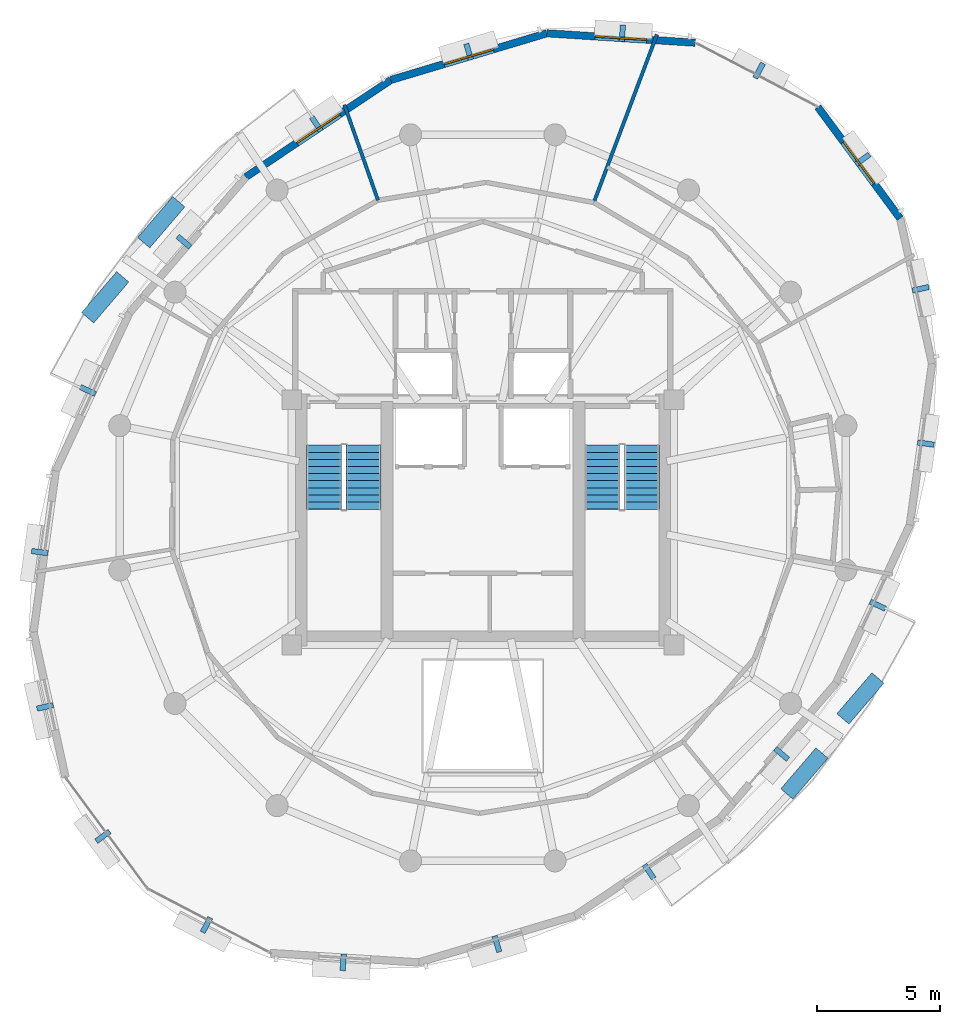
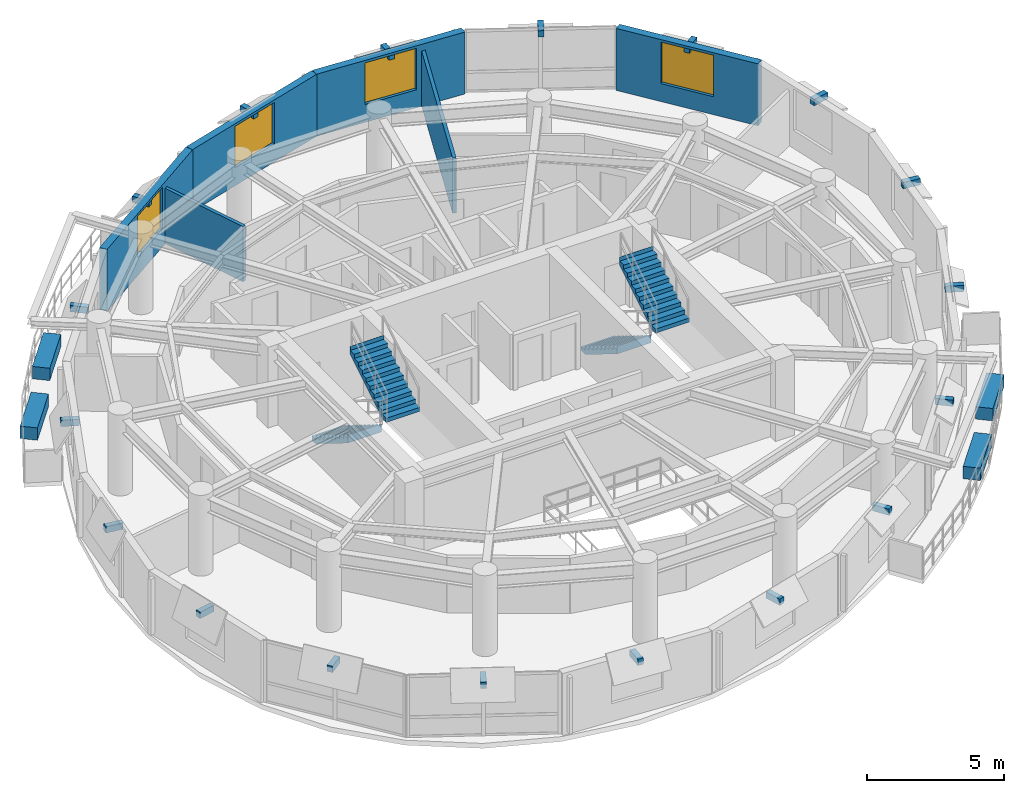
# One storey, part 9 of 11: 22 discrete accessories, 6 walls, 4 stair flights, 4 windows, 4 openings, 2 elements without a shape of their own.
"""IFC4 building model written with IfcOpenShell, lengths in metres."""

import ifcopenshell
import ifcopenshell.guid

model = None  # the IFC model being written
_history = None  # IfcOwnerHistory: only IFC2X3 demands one
_inside = {}  # id of a spatial element -> (the spatial element, [elements in it])
_under = {}  # id of a project, library or spatial element -> (it, [spatial elements below it])
_declared = {}  # id of a project -> (the project, [libraries it declares])
_typed = {}  # id of a type object -> (the type object, [elements of that type])
_made_of = {}  # id of a material, layer set ... -> (it, [elements and type objects made of it])


def new_model(schema):
    """Start an empty IFC model of exactly this schema.

    Asked for "IFC4X3", IfcOpenShell would pick the latest addendum, in which some entities
    have other attributes; the version numbers below select the first issue.
    IFC2X3 requires an IfcOwnerHistory on every rooted entity: one is made here for all.
    """
    global model, _history
    if schema == "IFC4X3":
        model = ifcopenshell.file(schema_version=(4, 3, 0, 0))
    else:
        model = ifcopenshell.file(schema=schema)
    _inside.clear()
    _under.clear()
    _declared.clear()
    _typed.clear()
    _made_of.clear()
    _history = None
    if model.schema == "IFC2X3":
        org = make("IfcOrganization", Name="unknown")
        user = make(
            "IfcPersonAndOrganization",
            ThePerson=make("IfcPerson", FamilyName="unknown"),
            TheOrganization=org,
        )
        app = make(
            "IfcApplication",
            ApplicationDeveloper=org,
            Version="unknown",
            ApplicationFullName="unknown",
            ApplicationIdentifier="unknown",
        )
        _history = make(
            "IfcOwnerHistory",
            OwningUser=user,
            OwningApplication=app,
            ChangeAction="ADDED",
            CreationDate=0,
        )
    return model


def make(cls, **values):
    """One entity of the class cls with the attributes given. An attribute that is None is left unset."""
    return model.create_entity(
        cls, **{name: value for name, value in values.items() if value is not None}
    )


def rooted(cls, **values):
    """An entity with a GlobalId (a new one), such as an element, a storey or a relation."""
    return make(cls, GlobalId=ifcopenshell.guid.new(), OwnerHistory=_history, **values)


def si_unit(unit_type, name, prefix=None):
    """IfcSIUnit, for example si_unit("LENGTHUNIT", "METRE", prefix="MILLI")."""
    return make("IfcSIUnit", UnitType=unit_type, Prefix=prefix, Name=name)


def assignment(units):
    """IfcUnitAssignment: the units of a project."""
    return None if units is None else make("IfcUnitAssignment", Units=units)


def point(xyz):
    """IfcCartesianPoint."""
    return None if xyz is None else make("IfcCartesianPoint", Coordinates=xyz)


def direction(xyz):
    """IfcDirection."""
    return None if xyz is None else make("IfcDirection", DirectionRatios=xyz)


def frame(location, z_axis=None, x_axis=None):
    """IfcAxis2Placement3D, a coordinate frame: its origin and axes. An axis left out is left unset."""
    return make(
        "IfcAxis2Placement3D",
        Location=point(location),
        Axis=direction(z_axis),
        RefDirection=direction(x_axis),
    )


def frame_2d(location, x_axis=None):
    """IfcAxis2Placement2D, a coordinate frame in the plane: its origin and x axis."""
    return make(
        "IfcAxis2Placement2D", Location=point(location), RefDirection=direction(x_axis)
    )


def origin():
    """The frame at (0, 0, 0) with its axes left unset."""
    return frame((0.0, 0.0, 0.0))


def origin_2d():
    """The frame at (0, 0) in the plane with its x axis left unset."""
    return frame_2d((0.0, 0.0))


def place(relative_to, where):
    """IfcLocalPlacement: puts the frame where relative to a parent placement (None: the world)."""
    return make(
        "IfcLocalPlacement", PlacementRelTo=relative_to, RelativePlacement=where
    )


def context(
    kind, dimensions, precision=None, world=None, true_north=None, identifier=None
):
    """IfcGeometricRepresentationContext, for example the 3D "Model" context."""
    return make(
        "IfcGeometricRepresentationContext",
        ContextIdentifier=identifier,
        ContextType=kind,
        CoordinateSpaceDimension=dimensions,
        Precision=precision,
        WorldCoordinateSystem=world,
        TrueNorth=true_north,
    )


def subcontext(parent, identifier, kind, view, scale=None):
    """IfcGeometricRepresentationSubContext, for example "Body" below "Model"."""
    return make(
        "IfcGeometricRepresentationSubContext",
        ContextIdentifier=identifier,
        ContextType=kind,
        ParentContext=parent,
        TargetScale=scale,
        TargetView=view,
    )


def project(units=None, contexts=None):
    """IfcProject with its units and contexts."""
    return rooted(
        "IfcProject",
        Name="project",
        RepresentationContexts=contexts,
        UnitsInContext=assignment(units),
    )


def spatial(cls, under=None, at=None, **own):
    """A site, building, storey or space (cls), placed at a placement, below another one or the project."""
    s = rooted(cls, ObjectPlacement=at, **own)
    if under is not None:
        _under.setdefault(under.id(), (under, []))[1].append(s)
    return s


def polyline(points):
    """IfcPolyline through the points."""
    return make("IfcPolyline", Points=[point(p) for p in points])


def profile(cls, at=None, kind="AREA", **sizes):
    """A parametric profile (cls). Its sizes go by their IFC names, for example OverallWidth=200.0."""
    return make(cls, ProfileType=kind, Position=at, **sizes)


def rectangle(**sizes):
    """IfcRectangleProfileDef."""
    return profile("IfcRectangleProfileDef", **sizes)


def outline(outer, holes=None, kind="AREA"):
    """IfcArbitraryClosedProfileDef: a profile drawn as a closed curve; with holes, ...WithVoids."""
    if holes is None:
        return make("IfcArbitraryClosedProfileDef", ProfileType=kind, OuterCurve=outer)
    return make(
        "IfcArbitraryProfileDefWithVoids",
        ProfileType=kind,
        OuterCurve=outer,
        InnerCurves=holes,
    )


def extrude(swept, where, along, depth):
    """IfcExtrudedAreaSolid: the profile swept, set in the frame where, extruded along a direction by depth."""
    return make(
        "IfcExtrudedAreaSolid",
        SweptArea=swept,
        Position=where,
        ExtrudedDirection=direction(along),
        Depth=depth,
    )


def shape(context_of_items, identifier, shape_type, items):
    """IfcShapeRepresentation: the items that make up one representation, for example the "Body"."""
    return make(
        "IfcShapeRepresentation",
        ContextOfItems=context_of_items,
        RepresentationIdentifier=identifier,
        RepresentationType=shape_type,
        Items=items,
    )


def material(Name=None, Category=None):
    """IfcMaterial."""
    return make("IfcMaterial", Name=Name, Category=Category)


def layer(
    of_material, thickness, ventilated=None, Name=None, Category=None, Priority=None
):
    """IfcMaterialLayer: one layer of a wall or slab, of a material (None: an air gap)."""
    return make(
        "IfcMaterialLayer",
        Material=of_material,
        LayerThickness=thickness,
        IsVentilated=ventilated,
        Name=Name,
        Category=Category,
        Priority=Priority,
    )


def layer_set(layers, Name=None):
    """IfcMaterialLayerSet."""
    return make("IfcMaterialLayerSet", MaterialLayers=layers, LayerSetName=Name)


def made_of(thing, what):
    """Note that an element or type object is made of a material, layer set ...; save() writes the relation."""
    if what is not None:
        _made_of.setdefault(what.id(), (what, []))[1].append(thing)
    return thing


def type_object(cls, material=None, **own):
    """A type object (cls), such as IfcWallType, which elements share."""
    return made_of(rooted(cls, **own), material)


def element(
    cls,
    number,
    at=None,
    inside=None,
    cuts=None,
    type_object=None,
    material=None,
    context=None,
    identifier="Body",
    shape_type=None,
    held_by="IfcProductDefinitionShape",
    body=None,
    shapes=None,
    **own,
):
    """One element of the class cls, such as IfcWall. Its Tag is "e" and its number.

    at: its placement. inside: the storey or other place that contains it. cuts: it is an
    opening in that element (IfcRelVoidsElement). A single representation is given by context,
    identifier, shape_type and body (its items); several are given by shapes. held_by: the class
    of the entity that holds the representations. save() writes the other relations.
    """
    e = rooted(cls, Tag="e%d" % number, ObjectPlacement=at, **own)
    if body is not None:
        shapes = [shape(context, identifier, shape_type, body)]
    if shapes is not None:
        e.Representation = make(held_by, Representations=shapes)
    if inside is not None:
        _inside.setdefault(inside.id(), (inside, []))[1].append(e)
    if cuts is not None:
        rooted(
            "IfcRelVoidsElement", RelatingBuildingElement=cuts, RelatedOpeningElement=e
        )
    if type_object is not None:
        _typed.setdefault(type_object.id(), (type_object, []))[1].append(e)
    return made_of(e, material)


def fill(opening, filler):
    """IfcRelFillsElement: the door or window that sits in an opening."""
    return rooted(
        "IfcRelFillsElement",
        RelatingOpeningElement=opening,
        RelatedBuildingElement=filler,
    )


def aggregate(whole, parts):
    """IfcRelAggregates: a whole, such as a stair, and the parts it consists of."""
    return rooted("IfcRelAggregates", RelatingObject=whole, RelatedObjects=parts)


def save(model, path):
    """Write the relations noted so far, then the file.

    IfcRelAggregates (storeys below a building ...), IfcRelContainedInSpatialStructure (elements
    in a storey), IfcRelDefinesByType, IfcRelAssociatesMaterial and IfcRelDeclares: one each for
    every whole, place, type object, material and project.
    """
    for whole, parts in _under.values():
        aggregate(whole, parts)
    for where, things in _inside.values():
        rooted(
            "IfcRelContainedInSpatialStructure",
            RelatedElements=things,
            RelatingStructure=where,
        )
    for kind, things in _typed.values():
        rooted("IfcRelDefinesByType", RelatedObjects=things, RelatingType=kind)
    for what, things in _made_of.values():
        rooted("IfcRelAssociatesMaterial", RelatedObjects=things, RelatingMaterial=what)
    for by, libraries in _declared.values():
        rooted("IfcRelDeclares", RelatingContext=by, RelatedDefinitions=libraries)
    model.write(path)


model = new_model("IFC4")

# Units and contexts
model_context = context("Model", 3, precision=1e-05, world=origin(), true_north=direction((0.0, 1.0)))
body_context = subcontext(model_context, "Body", "Model", "MODEL_VIEW")
ifc_project = project(units=[si_unit("LENGTHUNIT", "METRE"), si_unit("AREAUNIT", "SQUARE_METRE"), si_unit("VOLUMEUNIT", "CUBIC_METRE"), si_unit("PLANEANGLEUNIT", "RADIAN"), si_unit("MASSUNIT", "GRAM", prefix="KILO"), si_unit("THERMODYNAMICTEMPERATUREUNIT", "KELVIN"), si_unit("POWERUNIT", "WATT")], contexts=[model_context])

# Site, building, storey
site_placement = place(None, origin())
site = spatial("IfcSite", under=ifc_project, at=site_placement, CompositionType="ELEMENT")
building_placement = place(site_placement, origin())
building = spatial("IfcBuilding", under=site, at=building_placement, Name="Ocrelia Relay Tower", CompositionType="ELEMENT")
storey_placement = place(building_placement, frame((0.0, 0.0, 237.60009765625)))
storey = spatial("IfcBuildingStorey", under=building, at=storey_placement, Name="L58", CompositionType="ELEMENT", Elevation=237.60009765625)

# Wall, opening, window
ifc_material_1 = material(Name="Precast concrete C40/50 with oxide terracotta", Category="masonry")
ifc_layer_1 = layer(ifc_material_1, 0.300048828125, Name="Precast concrete C40/50 with oxide terracotta")
ifc_layer_set_1 = layer_set([ifc_layer_1], Name="Precast concrete C40/50 with oxide terracotta")
wall_type_1 = type_object("IfcWallType", Name="W-EXT-TERR-300", PredefinedType="SOLIDWALL", material=ifc_layer_set_1)
wall_1_placement = place(storey_placement, frame((42.6611328125, 44.566650390625, 0.0), z_axis=(0.0, 0.0, 1.0), x_axis=(-0.998006550378, 0.063110422294, 0.0)))
wall_1 = element("IfcWall", 1, at=wall_1_placement, inside=storey, type_object=wall_type_1, Name="L58 Oxide Terracotta Facade Wall 02", PredefinedType="SOLIDWALL", context=body_context, shape_type="SweptSolid", body=[
    extrude(rectangle(XDim=6.061767578125, YDim=0.300048828125, at=frame_2d((3.03076171875, 0.0))), origin(), (0.0, 0.0, 1.0), 2.760009765625),
])
opening_1_placement = place(wall_1_placement, frame((1.98095703125, 0.0, 0.800048828125)))
opening_1 = element("IfcOpeningElement", 2, at=opening_1_placement, cuts=wall_1, Name="Opening W-07", PredefinedType="OPENING", context=body_context, shape_type="SweptSolid", body=[
    extrude(rectangle(XDim=2.10009765625, YDim=1.85009765625, at=frame_2d((1.050048828125, 0.925048828125))), frame((0.0, 0.16015625, 0.0), z_axis=(0.0, -1.0, 0.0), x_axis=(1.0, 0.0, 0.0)), (0.0, 0.0, 1.0), 0.320068359375),
])
ifc_material_2 = material(Name="Clear double-glazed low-E glass", Category="glass")
window_type = type_object("IfcWindowType", Name="WIN-Z4-2100x2200", PartitioningType="DOUBLE_PANEL_VERTICAL", PredefinedType="WINDOW", material=ifc_material_2)
window_1_placement = place(opening_1_placement, origin())
window_1 = element("IfcWindow", 3, at=window_1_placement, inside=storey, type_object=window_type, Name="L58 Facade Module Window 02", OverallHeight=1.85009765625, OverallWidth=2.10009765625, PartitioningType="SINGLE_PANEL", PredefinedType="WINDOW", context=body_context, shape_type="SweptSolid", body=[
    extrude(rectangle(XDim=2.10009765625, YDim=1.85009765625, at=frame_2d((1.050048828125, 0.925048828125))), frame((0.0, 0.030029296875, 0.0), z_axis=(0.0, -1.0, 0.0), x_axis=(1.0, 0.0, 0.0)), (0.0, 0.0, 1.0), 0.06005859375),
])
fill(opening_1, window_1)

wall_2_placement = place(storey_placement, frame((36.611328125, 44.94921875, 0.0), z_axis=(0.0, 0.0, 1.0), x_axis=(-0.958088870216, -0.286471144739, 0.0)))
wall_2 = element("IfcWall", 4, at=wall_2_placement, inside=storey, type_object=wall_type_1, Name="L58 Oxide Terracotta Facade Wall 03", PredefinedType="SOLIDWALL", context=body_context, shape_type="SweptSolid", body=[
    extrude(rectangle(XDim=6.64306640625, YDim=0.300048828125, at=frame_2d((3.321533203125, 0.0))), origin(), (0.0, 0.0, 1.0), 2.760009765625),
])
opening_2_placement = place(wall_2_placement, frame((2.27197265625, 0.0, 0.800048828125)))
opening_2 = element("IfcOpeningElement", 5, at=opening_2_placement, cuts=wall_2, Name="Opening W-07", PredefinedType="OPENING", context=body_context, shape_type="SweptSolid", body=[
    extrude(rectangle(XDim=2.10009765625, YDim=1.85009765625, at=frame_2d((1.050048828125, 0.925048828125))), frame((0.0, 0.16015625, 0.0), z_axis=(0.0, -1.0, 0.0), x_axis=(1.0, 0.0, 0.0)), (0.0, 0.0, 1.0), 0.320068359375),
])
window_2_placement = place(opening_2_placement, origin())
window_2 = element("IfcWindow", 6, at=window_2_placement, inside=storey, type_object=window_type, Name="L58 Facade Module Window 03", OverallHeight=1.85009765625, OverallWidth=2.10009765625, PartitioningType="SINGLE_PANEL", PredefinedType="WINDOW", context=body_context, shape_type="SweptSolid", body=[
    extrude(rectangle(XDim=2.10009765625, YDim=1.85009765625, at=frame_2d((1.050048828125, 0.925048828125))), frame((0.0, 0.030029296875, 0.0), z_axis=(0.0, -1.0, 0.0), x_axis=(1.0, 0.0, 0.0)), (0.0, 0.0, 1.0), 0.06005859375),
])
fill(opening_2, window_2)

wall_3_placement = place(storey_placement, frame((30.24658203125, 43.046142578125, 0.0), z_axis=(0.0, 0.0, 1.0), x_axis=(-0.830897686813, -0.556425227725, 0.0)))
wall_3 = element("IfcWall", 7, at=wall_3_placement, inside=storey, type_object=wall_type_1, Name="L58 Oxide Terracotta Facade Wall 04", PredefinedType="SOLIDWALL", context=body_context, shape_type="SweptSolid", body=[
    extrude(rectangle(XDim=7.114990234375, YDim=0.300048828125, at=frame_2d((3.5576171875, 0.0))), origin(), (0.0, 0.0, 1.0), 2.760009765625),
])
opening_3_placement = place(wall_3_placement, frame((2.508056640625, 0.0, 0.800048828125)))
opening_3 = element("IfcOpeningElement", 8, at=opening_3_placement, cuts=wall_3, Name="Opening W-07", PredefinedType="OPENING", context=body_context, shape_type="SweptSolid", body=[
    extrude(rectangle(XDim=2.10009765625, YDim=1.85009765625, at=frame_2d((1.050048828125, 0.925048828125))), frame((0.0, 0.16015625, 0.0), z_axis=(0.0, -1.0, 0.0), x_axis=(1.0, 0.0, 0.0)), (0.0, 0.0, 1.0), 0.320068359375),
])
window_3_placement = place(opening_3_placement, origin())
window_3 = element("IfcWindow", 9, at=window_3_placement, inside=storey, type_object=window_type, Name="L58 Facade Module Window 04", OverallHeight=1.85009765625, OverallWidth=2.10009765625, PartitioningType="SINGLE_PANEL", PredefinedType="WINDOW", context=body_context, shape_type="SweptSolid", body=[
    extrude(rectangle(XDim=2.10009765625, YDim=1.85009765625, at=frame_2d((1.050048828125, 0.925048828125))), frame((0.0, 0.030029296875, 0.0), z_axis=(0.0, -1.0, 0.0), x_axis=(1.0, 0.0, 0.0)), (0.0, 0.0, 1.0), 0.06005859375),
])
fill(opening_3, window_3)

wall_4_placement = place(storey_placement, frame((51.02294921875, 37.399658203125, 0.0), z_axis=(0.0, 0.0, 1.0), x_axis=(-0.594093357813, 0.804396097829, 0.0)))
wall_4 = element("IfcWall", 10, at=wall_4_placement, inside=storey, type_object=wall_type_1, Name="L58 Oxide Terracotta Facade Wall 18", PredefinedType="SOLIDWALL", context=body_context, shape_type="SweptSolid", body=[
    extrude(rectangle(XDim=5.650146484375, YDim=0.300048828125, at=frame_2d((2.8251953125, 0.0))), origin(), (0.0, 0.0, 1.0), 2.760009765625),
])
opening_4_placement = place(wall_4_placement, frame((1.77490234375, 0.0, 0.800048828125)))
opening_4 = element("IfcOpeningElement", 11, at=opening_4_placement, cuts=wall_4, Name="Opening W-07", PredefinedType="OPENING", context=body_context, shape_type="SweptSolid", body=[
    extrude(rectangle(XDim=2.10009765625, YDim=1.85009765625, at=frame_2d((1.050048828125, 0.925048828125))), frame((0.0, 0.16015625, 0.0), z_axis=(0.0, -1.0, 0.0), x_axis=(1.0, 0.0, 0.0)), (0.0, 0.0, 1.0), 0.320068359375),
])
window_4_placement = place(opening_4_placement, origin())
window_4 = element("IfcWindow", 12, at=window_4_placement, inside=storey, type_object=window_type, Name="L58 Facade Module Window 18", OverallHeight=1.85009765625, OverallWidth=2.10009765625, PartitioningType="SINGLE_PANEL", PredefinedType="WINDOW", context=body_context, shape_type="SweptSolid", body=[
    extrude(rectangle(XDim=2.10009765625, YDim=1.85009765625, at=frame_2d((1.050048828125, 0.925048828125))), frame((0.0, 0.030029296875, 0.0), z_axis=(0.0, -1.0, 0.0), x_axis=(1.0, 0.0, 0.0)), (0.0, 0.0, 1.0), 0.06005859375),
])
fill(opening_4, window_4)

# Walls
ifc_material_3 = material(Name="Acoustic Fireboard Partition EI60", Category="gypsum")
ifc_layer_2 = layer(ifc_material_3, 0.139892578125, Name="Acoustic Fireboard Partition EI60")
ifc_layer_set_2 = layer_set([ifc_layer_2], Name="Acoustic Fireboard Partition EI60")
wall_type_2 = type_object("IfcWallType", Name="W-PART-140", PredefinedType="PARTITIONING", material=ifc_layer_set_2)
wall_5_placement = place(storey_placement, frame((38.5283203125, 38.047119140625, 0.0), z_axis=(0.0, 0.0, 1.0), x_axis=(0.351821633052, 0.936067058771, 0.0)))
element("IfcWall", 13, at=wall_5_placement, inside=storey, type_object=wall_type_2, Name="L58 Counsel Office B Radial Partition", PredefinedType="PARTITIONING", context=body_context, shape_type="SweptSolid", body=[
    extrude(rectangle(XDim=7.318115234375, YDim=0.139892578125, at=frame_2d((3.6591796875, 0.0))), origin(), (0.0, 0.0, 1.0), 2.4599609375),
])
wall_6_placement = place(storey_placement, frame((29.72509765625, 38.139404296875, 0.0), z_axis=(0.0, 0.0, 1.0), x_axis=(-0.332179937454, 0.94321603525, 0.0)))
element("IfcWall", 14, at=wall_6_placement, inside=storey, type_object=wall_type_2, Name="L58 Finance Office C Radial Partition", PredefinedType="PARTITIONING", context=body_context, shape_type="SweptSolid", body=[
    extrude(rectangle(XDim=4.1298828125, YDim=0.139892578125, at=frame_2d((2.06494140625, 0.0))), origin(), (0.0, 0.0, 1.0), 2.4599609375),
])

# Stair, stair flights
ifc_material_4 = material(Name="Concrete C50/60", Category="concrete")
stair_type = type_object("IfcStairType", Name="ST-DL-1420-R180", PredefinedType="HALF_TURN_STAIR", material=ifc_material_4)
stair_1_placement = place(storey_placement, origin())
stair_1 = element("IfcStair", 15, at=stair_1_placement, inside=storey, type_object=stair_type, Name="L58 West Core Exit Stair ST1", PredefinedType="HALF_TURN_STAIR")
stair_flight_type = type_object("IfcStairFlightType", Name="STF-DL-1420-R180", PredefinedType="STRAIGHT", material=ifc_material_4)
stair_flight_1_placement = place(storey_placement, frame((27.52001953125, 28.14990234375, 0.0), z_axis=(0.0, 0.0, 1.0), x_axis=(0.0, -1.0, 0.0)))
stair_flight_1 = element("IfcStairFlight", 16, at=stair_flight_1_placement, type_object=stair_flight_type, Name="ST1 flight 1", NumberOfRisers=10, NumberOfTreads=9, PredefinedType="STRAIGHT", RiserHeight=0.18, TreadLength=0.29, context=body_context, shape_type="SweptSolid", body=[
    extrude(outline(polyline([(-0.008056640625, 0.0), (-0.008056640625, 0.179931640625), (0.0, 0.179931640625), (0.2900390625, 0.179931640625), (0.2900390625, 0.360107421875), (0.580078125, 0.360107421875), (0.580078125, 0.5400390625), (0.8701171875, 0.5400390625), (0.8701171875, 0.719970703125), (1.159912109375, 0.719970703125), (1.159912109375, 0.89990234375), (1.449951171875, 0.89990234375), (1.449951171875, 1.080078125), (1.739990234375, 1.080078125), (1.739990234375, 1.260009765625), (2.030029296875, 1.260009765625), (2.030029296875, 1.43994140625), (2.320068359375, 1.43994140625), (2.320068359375, 1.6201171875), (2.610107421875, 1.6201171875), (2.610107421875, 1.800048828125), (2.617919921875, 1.800048828125), (2.617919921875, 1.443603515625), (0.2841796875, 0.0), (-0.008056640625, 0.0)])), frame((0.0, 0.7099609375, 0.0), z_axis=(0.0, -1.0, 0.0), x_axis=(1.0, 0.0, 0.0)), (0.0, 0.0, 1.0), 1.419921875),
])
stair_flight_2_placement = place(storey_placement, frame((29.139892578125, 25.5400390625, 1.7998046875), z_axis=(0.0, 0.0, 1.0), x_axis=(0.0, 1.0, 0.0)))
stair_flight_2 = element("IfcStairFlight", 17, at=stair_flight_2_placement, type_object=stair_flight_type, Name="ST1 flight 2", NumberOfRisers=10, NumberOfTreads=9, PredefinedType="STRAIGHT", RiserHeight=0.18, TreadLength=0.29, context=body_context, shape_type="SweptSolid", body=[
    extrude(outline(polyline([(-0.008056640625, 0.0), (-0.008056640625, 0.179931640625), (0.0, 0.179931640625), (0.2900390625, 0.179931640625), (0.2900390625, 0.360107421875), (0.580078125, 0.360107421875), (0.580078125, 0.5400390625), (0.8701171875, 0.5400390625), (0.8701171875, 0.719970703125), (1.159912109375, 0.719970703125), (1.159912109375, 0.89990234375), (1.449951171875, 0.89990234375), (1.449951171875, 1.080078125), (1.739990234375, 1.080078125), (1.739990234375, 1.260009765625), (2.030029296875, 1.260009765625), (2.030029296875, 1.43994140625), (2.320068359375, 1.43994140625), (2.320068359375, 1.6201171875), (2.610107421875, 1.6201171875), (2.610107421875, 1.800048828125), (2.617919921875, 1.800048828125), (2.617919921875, 1.443603515625), (0.2841796875, 0.0), (-0.008056640625, 0.0)])), frame((0.0, 0.7099609375, 0.0), z_axis=(0.0, -1.0, 0.0), x_axis=(1.0, 0.0, 0.0)), (0.0, 0.0, 1.0), 1.419921875),
])
aggregate(stair_1, [stair_flight_1, stair_flight_2])

stair_2_placement = place(storey_placement, origin())
stair_2 = element("IfcStair", 18, at=stair_2_placement, inside=storey, type_object=stair_type, Name="L58 East Core Exit Stair ST2", PredefinedType="HALF_TURN_STAIR")
stair_flight_3_placement = place(storey_placement, frame((38.8701171875, 28.14990234375, 0.0), z_axis=(0.0, 0.0, 1.0), x_axis=(0.0, -1.0, 0.0)))
stair_flight_3 = element("IfcStairFlight", 19, at=stair_flight_3_placement, type_object=stair_flight_type, Name="ST2 flight 1", NumberOfRisers=10, NumberOfTreads=9, PredefinedType="STRAIGHT", RiserHeight=0.18, TreadLength=0.29, context=body_context, shape_type="SweptSolid", body=[
    extrude(outline(polyline([(-0.008056640625, 0.0), (-0.008056640625, 0.179931640625), (0.0, 0.179931640625), (0.2900390625, 0.179931640625), (0.2900390625, 0.360107421875), (0.580078125, 0.360107421875), (0.580078125, 0.5400390625), (0.8701171875, 0.5400390625), (0.8701171875, 0.719970703125), (1.159912109375, 0.719970703125), (1.159912109375, 0.89990234375), (1.449951171875, 0.89990234375), (1.449951171875, 1.080078125), (1.739990234375, 1.080078125), (1.739990234375, 1.260009765625), (2.030029296875, 1.260009765625), (2.030029296875, 1.43994140625), (2.320068359375, 1.43994140625), (2.320068359375, 1.6201171875), (2.610107421875, 1.6201171875), (2.610107421875, 1.800048828125), (2.617919921875, 1.800048828125), (2.617919921875, 1.443603515625), (0.2841796875, 0.0), (-0.008056640625, 0.0)])), frame((0.0, 0.7099609375, 0.0), z_axis=(0.0, -1.0, 0.0), x_axis=(1.0, 0.0, 0.0)), (0.0, 0.0, 1.0), 1.419921875),
])
stair_flight_4_placement = place(storey_placement, frame((40.489990234375, 25.5400390625, 1.7998046875), z_axis=(0.0, 0.0, 1.0), x_axis=(0.0, 1.0, 0.0)))
stair_flight_4 = element("IfcStairFlight", 20, at=stair_flight_4_placement, type_object=stair_flight_type, Name="ST2 flight 2", NumberOfRisers=10, NumberOfTreads=9, PredefinedType="STRAIGHT", RiserHeight=0.18, TreadLength=0.29, context=body_context, shape_type="SweptSolid", body=[
    extrude(outline(polyline([(-0.008056640625, 0.0), (-0.008056640625, 0.179931640625), (0.0, 0.179931640625), (0.2900390625, 0.179931640625), (0.2900390625, 0.360107421875), (0.580078125, 0.360107421875), (0.580078125, 0.5400390625), (0.8701171875, 0.5400390625), (0.8701171875, 0.719970703125), (1.159912109375, 0.719970703125), (1.159912109375, 0.89990234375), (1.449951171875, 0.89990234375), (1.449951171875, 1.080078125), (1.739990234375, 1.080078125), (1.739990234375, 1.260009765625), (2.030029296875, 1.260009765625), (2.030029296875, 1.43994140625), (2.320068359375, 1.43994140625), (2.320068359375, 1.6201171875), (2.610107421875, 1.6201171875), (2.610107421875, 1.800048828125), (2.617919921875, 1.800048828125), (2.617919921875, 1.443603515625), (0.2841796875, 0.0), (-0.008056640625, 0.0)])), frame((0.0, 0.7099609375, 0.0), z_axis=(0.0, -1.0, 0.0), x_axis=(1.0, 0.0, 0.0)), (0.0, 0.0, 1.0), 1.419921875),
])
aggregate(stair_2, [stair_flight_3, stair_flight_4])

# Discrete accessories
ifc_material_5 = material(Name="Precast concrete C40/50 planter with highland greenery", Category="concrete")
discrete_accessory_type_1 = type_object("IfcDiscreteAccessoryType", Name="ACC-BALC-PLANTER", PredefinedType="USERDEFINED", material=ifc_material_5)
for number, where, z_axis, x_axis, name in (
    (21, (20.8818359375, 37.24365234375, 0.0), (0.0, 0.0, 1.0), (0.650770110422, 0.759274827306, 0.0), "L58 Balcony Terracotta Planter with Greenery B1"),
    (22, (18.59521484375, 34.181640625, 0.0), (0.0, 0.0, 1.0), (0.650770110422, 0.759274827306, 0.0), "L58 Balcony Terracotta Planter B1-2"),
    (23, (47.1181640625, 14.75634765625, 0.0), (0.0, 0.0, 1.0), (-0.650770110422, -0.759274827306, 0.0), "L58 Balcony Terracotta Planter with Greenery B2"),
    (24, (49.40478515625, 17.818359375, 0.0), (0.0, 0.0, 1.0), (-0.650770110422, -0.759274827306, 0.0), "L58 Balcony Terracotta Planter B2-2"),
):
    element("IfcDiscreteAccessory", number, at=place(storey_placement, frame(where, z_axis=z_axis, x_axis=x_axis)), inside=storey, type_object=discrete_accessory_type_1, Name=name, ObjectType="PLANTER", PredefinedType="USERDEFINED", context=body_context, shape_type="SweptSolid", body=[
        extrude(rectangle(XDim=2.199951171875, YDim=0.64990234375, at=origin_2d()), origin(), (0.0, 0.0, 1.0), 0.550048828125),
    ])
ifc_material_6 = material(Name="Steel S355", Category="steel")
discrete_accessory_type_2 = type_object("IfcDiscreteAccessoryType", Name="ACC-VISOR-BRACKET", PredefinedType="BRACKET", material=ifc_material_6)
for number, where, z_axis, x_axis, name in (
    (25, (45.272216796875, 43.423583984375, 2.4599609375), (0.0, 0.0, 1.0), (-0.885822182223, 0.46402485007, 0.0), "L58 Visor Mounting Bracket 01"),
    (26, (39.69384765625, 44.949462890625, 2.4599609375), (0.0, 0.0, 1.0), (-0.998007191825, 0.063100277851, 0.0), "L58 Visor Mounting Bracket 02"),
    (27, (33.422607421875, 44.197509765625, 2.4599609375), (0.0, 0.0, 1.0), (-0.958092683106, -0.286458392405, 0.0), "L58 Visor Mounting Bracket 03"),
    (28, (27.209228515625, 41.249267578125, 2.4599609375), (0.0, 0.0, 1.0), (-0.83090253569, -0.556417986934, 0.0), "L58 Visor Mounting Bracket 04"),
    (29, (21.8095703125, 36.448486328125, 2.4599609375), (0.0, 0.0, 1.0), (-0.650774435934, -0.759271119914, 0.0), "L58 Visor Mounting Bracket 05"),
    (30, (17.891357421875, 30.3779296875, 2.4599609375), (0.0, 0.0, 1.0), (-0.42275697085, -0.906243092993, 0.0), "L58 Visor Mounting Bracket 06"),
    (31, (15.92822265625, 23.78662109375, 2.4599609375), (0.0, 0.0, 1.0), (-0.136515654757, -0.990637913673, 0.0), "L58 Visor Mounting Bracket 07"),
    (32, (16.144775390625, 17.47412109375, 2.4599609375), (0.0, 0.0, 1.0), (0.215050599769, -0.976602907808, 0.0), "L58 Visor Mounting Bracket 08"),
    (33, (18.506103515625, 12.19482421875, 2.4599609375), (0.0, 0.0, 1.0), (0.594079500089, -0.804406332381, 0.0), "L58 Visor Mounting Bracket 09"),
    (34, (22.727783203125, 8.576416015625, 2.4599609375), (0.0, 0.0, 1.0), (0.885822182223, -0.46402485007, 0.0), "L58 Visor Mounting Bracket 10"),
    (35, (28.30615234375, 7.050537109375, 2.4599609375), (0.0, 0.0, 1.0), (0.998007191825, -0.063100277851, 0.0), "L58 Visor Mounting Bracket 11"),
    (36, (34.577392578125, 7.802490234375, 2.4599609375), (0.0, 0.0, 1.0), (0.958092683106, 0.286458392405, 0.0), "L58 Visor Mounting Bracket 12"),
    (37, (40.790771484375, 10.750732421875, 2.4599609375), (0.0, 0.0, 1.0), (0.83090253569, 0.556417986934, 0.0), "L58 Visor Mounting Bracket 13"),
    (38, (46.1904296875, 15.551513671875, 2.4599609375), (0.0, 0.0, 1.0), (0.650774435934, 0.759271119914, 0.0), "L58 Visor Mounting Bracket 14"),
    (39, (50.108642578125, 21.6220703125, 2.4599609375), (0.0, 0.0, 1.0), (0.42275697085, 0.906243092993, 0.0), "L58 Visor Mounting Bracket 15"),
    (40, (52.07177734375, 28.21337890625, 2.4599609375), (0.0, 0.0, 1.0), (0.136515654757, 0.990637913673, 0.0), "L58 Visor Mounting Bracket 16"),
    (41, (51.855224609375, 34.52587890625, 2.4599609375), (0.0, 0.0, 1.0), (-0.215050599769, 0.976602907808, 0.0), "L58 Visor Mounting Bracket 17"),
    (42, (49.493896484375, 39.80517578125, 2.4599609375), (0.0, 0.0, 1.0), (-0.594079500089, 0.804406332381, 0.0), "L58 Visor Mounting Bracket 18"),
):
    element("IfcDiscreteAccessory", number, at=place(storey_placement, frame(where, z_axis=z_axis, x_axis=x_axis)), inside=storey, type_object=discrete_accessory_type_2, Name=name, PredefinedType="BRACKET", context=body_context, shape_type="SweptSolid", body=[
        extrude(rectangle(XDim=0.219970703125, YDim=0.679931640625, at=origin_2d()), origin(), (0.0, 0.0, 1.0), 0.280029296875),
    ])

save(model, "model.ifc")
